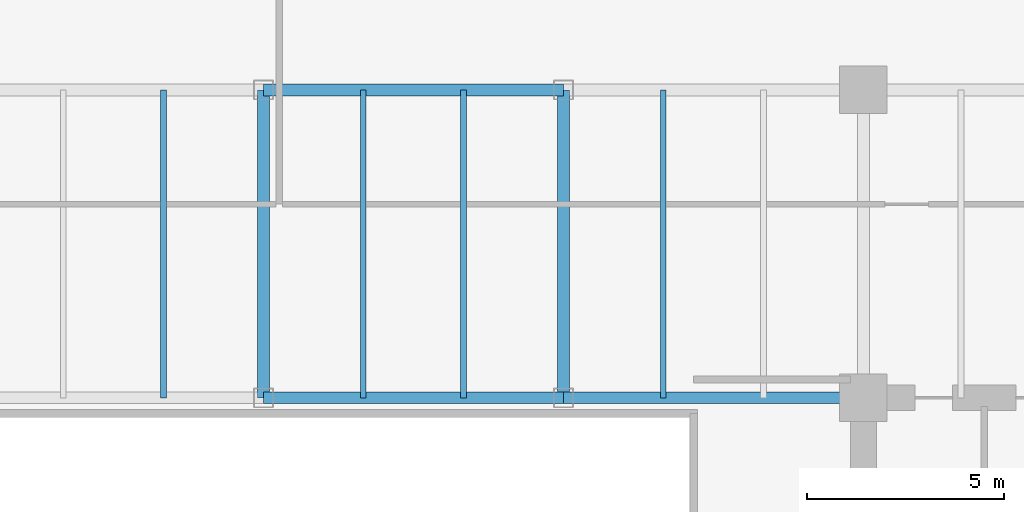
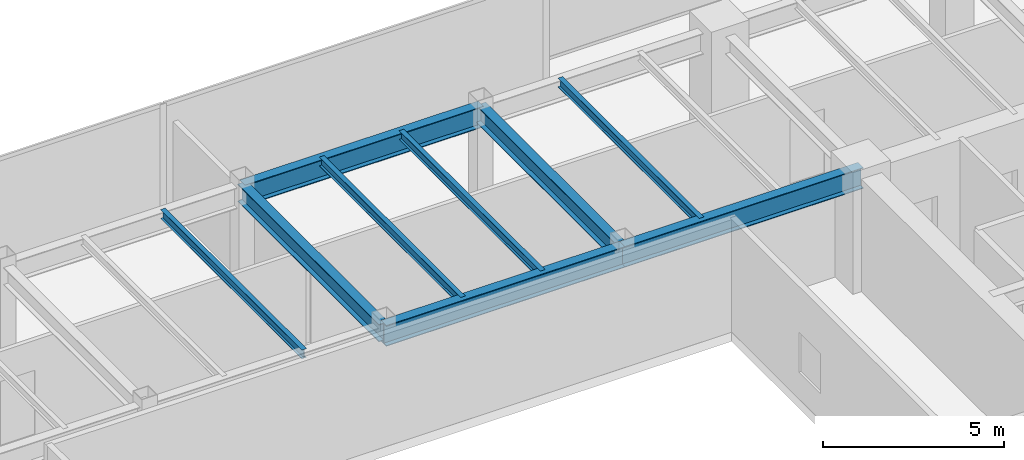
# One storey, part 17 of 30: 9 beams.
"""IFC4 building model written with IfcOpenShell, lengths in metres."""

from ifc_helpers import new_model, si_unit, direction, frame, origin, origin_2d, place, context, subcontext, project, spatial, i_section, extrude, source, transform, mapped, material, material_profile, profile_set, type_object, type_shapes, element, save


model = new_model("IFC4")

# Units and contexts
model_context = context("Model", 3, precision=1e-05, world=origin(), true_north=direction((0.0, 1.0)))
body_context = subcontext(model_context, "Body", "Model", "MODEL_VIEW")
ifc_project = project(units=[si_unit("LENGTHUNIT", "METRE"), si_unit("AREAUNIT", "SQUARE_METRE"), si_unit("VOLUMEUNIT", "CUBIC_METRE"), si_unit("PLANEANGLEUNIT", "RADIAN"), si_unit("MASSUNIT", "GRAM", prefix="KILO")], contexts=[model_context])

# Site, building, storey
site_placement = place(None, origin())
site = spatial("IfcSite", under=ifc_project, at=site_placement, CompositionType="ELEMENT")
building_placement = place(site_placement, origin())
building = spatial("IfcBuilding", under=site, at=building_placement, Name="Haelvirn Gate Laboratories", CompositionType="ELEMENT")
storey_placement = place(building_placement, frame((0.0, 0.0, 187.10009765625)))
storey = spatial("IfcBuildingStorey", under=building, at=storey_placement, Name="L45", CompositionType="ELEMENT", Elevation=187.10009765625)

# Beams
ifc_material = material(Name="Steel SM355", Category="steel")
ifc_material_profile_1 = material_profile(ifc_material, i_section(OverallWidth=0.300048828125, OverallDepth=0.699951171875, WebThickness=0.012939453125, FlangeThickness=0.02392578125, at=origin_2d()), Name="H-700x300x13x24")
ifc_profile_set_1 = profile_set([ifc_material_profile_1], Name="Steel SM355")
beam_type_1 = type_object("IfcBeamType", Name="BM-G-700", PredefinedType="BEAM", material=ifc_profile_set_1)
shared_shape_1 = source(origin(), body_context, "Body", "SweptSolid", [
    extrude(i_section(OverallWidth=0.300048828125, OverallDepth=0.699951171875, WebThickness=0.012939453125, FlangeThickness=0.02392578125, at=origin_2d()), origin(), (0.0, 0.0, 1.0), 7.60009765625),
])
type_shapes(beam_type_1, [shared_shape_1])
for number, where, z_axis, x_axis, name in (
    (1, (37.39990234375, 33.800048828125, 3.43994140625), (1.0, 0.0, 0.0), (0.0, 1.0, 0.0), "L45 Primary Girder Y33.8 (37.4-45.0)"),
    (2, (45.0, 33.800048828125, 3.43994140625), (1.0, 0.0, 0.0), (0.0, 1.0, 0.0), "L45 Primary Girder Y33.8 (45.0-52.6)"),
    (3, (37.39990234375, 41.60009765625, 3.43994140625), (1.0, 0.0, 0.0), (0.0, 1.0, 0.0), "L45 Primary Girder Y41.6 (37.4-45.0)"),
):
    element("IfcBeam", number, at=place(storey_placement, frame(where, z_axis=z_axis, x_axis=x_axis)), inside=storey, type_object=beam_type_1, Name=name, PredefinedType="BEAM", context=body_context, shape_type="MappedRepresentation", body=[
        mapped(shared_shape_1, transform((0.0, 0.0, 0.0), scale=1.0)),
    ])
ifc_material_profile_2 = material_profile(ifc_material, i_section(OverallWidth=0.14990234375, OverallDepth=0.300048828125, WebThickness=0.006591796875, FlangeThickness=0.009033203125, at=origin_2d()), Name="H-300x150x6.5x9")
ifc_profile_set_2 = profile_set([ifc_material_profile_2], Name="Steel SM355")
beam_type_2 = type_object("IfcBeamType", Name="BM-J-300", PredefinedType="JOIST", material=ifc_profile_set_2)
shared_shape_2 = source(origin(), body_context, "Body", "SweptSolid", [
    extrude(i_section(OverallWidth=0.14990234375, OverallDepth=0.300048828125, WebThickness=0.006591796875, FlangeThickness=0.009033203125, at=origin_2d()), origin(), (0.0, 0.0, 1.0), 7.800048828125),
])
type_shapes(beam_type_2, [shared_shape_2])
for number, where, z_axis, x_axis, name in (
    (4, (34.8701171875, 33.800048828125, 3.639892578125), (0.0, 1.0, 0.0), (-1.0, 0.0, 0.0), "L45 Composite Lab Joist North X34.87"),
    (5, (39.929931640625, 33.800048828125, 3.639892578125), (0.0, 1.0, 0.0), (-1.0, 0.0, 0.0), "L45 Composite Lab Joist North X39.93"),
    (6, (42.469970703125, 33.800048828125, 3.639892578125), (0.0, 1.0, 0.0), (-1.0, 0.0, 0.0), "L45 Composite Lab Joist North X42.47"),
    (7, (47.530029296875, 33.800048828125, 3.639892578125), (0.0, 1.0, 0.0), (-1.0, 0.0, 0.0), "L45 Composite Lab Joist North X47.53"),
):
    element("IfcBeam", number, at=place(storey_placement, frame(where, z_axis=z_axis, x_axis=x_axis)), inside=storey, type_object=beam_type_2, Name=name, PredefinedType="JOIST", context=body_context, shape_type="MappedRepresentation", body=[
        mapped(shared_shape_2, transform((0.0, 0.0, 0.0), scale=1.0)),
    ])
ifc_material_profile_3 = material_profile(ifc_material, i_section(OverallWidth=0.300048828125, OverallDepth=0.587890625, WebThickness=0.011962890625, FlangeThickness=0.02001953125, at=origin_2d()), Name="H-588x300x12x20")
ifc_profile_set_3 = profile_set([ifc_material_profile_3], Name="Steel SM355")
beam_type_3 = type_object("IfcBeamType", Name="BM-G-588", PredefinedType="BEAM", material=ifc_profile_set_3)
shared_shape_3 = source(origin(), body_context, "Body", "SweptSolid", [
    extrude(i_section(OverallWidth=0.300048828125, OverallDepth=0.587890625, WebThickness=0.011962890625, FlangeThickness=0.02001953125, at=origin_2d()), origin(), (0.0, 0.0, 1.0), 7.800048828125),
])
type_shapes(beam_type_3, [shared_shape_3])
for number, where, z_axis, x_axis, name in (
    (8, (37.39990234375, 33.800048828125, 3.495849609375), (0.0, 1.0, 0.0), (-1.0, 0.0, 0.0), "L45 Frame Girder X37.4 (33.8-41.6)"),
    (9, (45.0, 33.800048828125, 3.495849609375), (0.0, 1.0, 0.0), (-1.0, 0.0, 0.0), "L45 Frame Girder X45.0 (33.8-41.6)"),
):
    element("IfcBeam", number, at=place(storey_placement, frame(where, z_axis=z_axis, x_axis=x_axis)), inside=storey, type_object=beam_type_3, Name=name, PredefinedType="BEAM", context=body_context, shape_type="MappedRepresentation", body=[
        mapped(shared_shape_3, transform((0.0, 0.0, 0.0), scale=1.0)),
    ])

save(model, "model.ifc")
